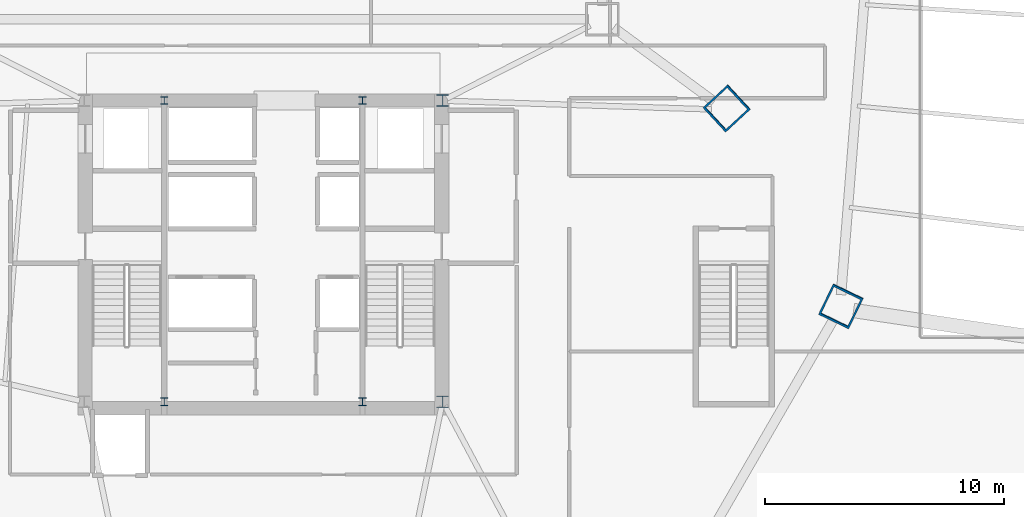
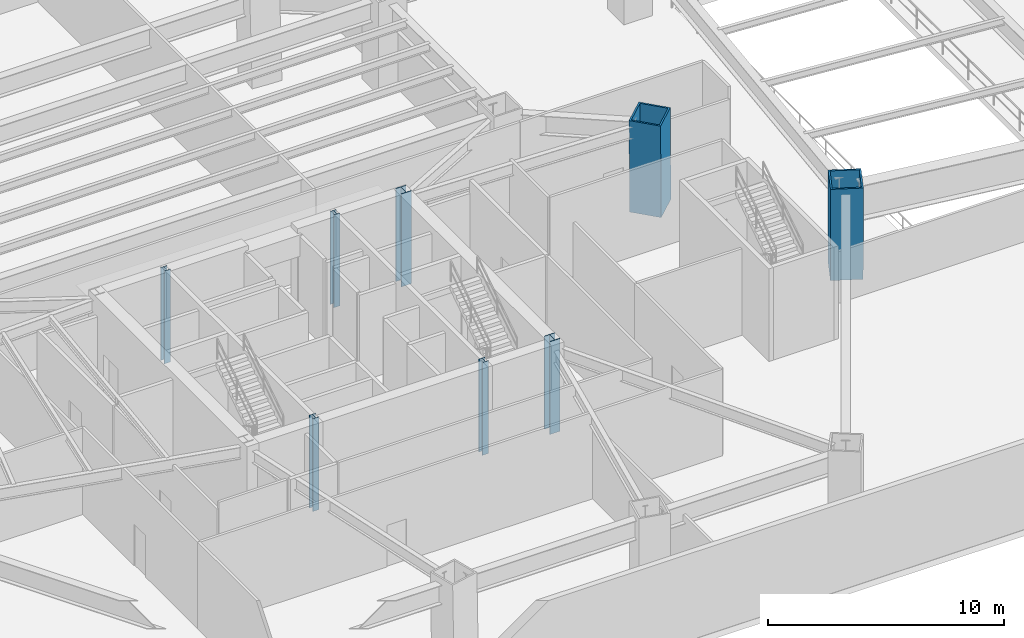
# One storey, part 2 of 11: 8 columns.
"""IFC4 building model written with IfcOpenShell, lengths in metres."""

import ifcopenshell
import ifcopenshell.guid

model = None  # the IFC model being written
_history = None  # IfcOwnerHistory: only IFC2X3 demands one
_inside = {}  # id of a spatial element -> (the spatial element, [elements in it])
_under = {}  # id of a project, library or spatial element -> (it, [spatial elements below it])
_declared = {}  # id of a project -> (the project, [libraries it declares])
_typed = {}  # id of a type object -> (the type object, [elements of that type])
_made_of = {}  # id of a material, layer set ... -> (it, [elements and type objects made of it])


def new_model(schema):
    """Start an empty IFC model of exactly this schema.

    Asked for "IFC4X3", IfcOpenShell would pick the latest addendum, in which some entities
    have other attributes; the version numbers below select the first issue.
    IFC2X3 requires an IfcOwnerHistory on every rooted entity: one is made here for all.
    """
    global model, _history
    if schema == "IFC4X3":
        model = ifcopenshell.file(schema_version=(4, 3, 0, 0))
    else:
        model = ifcopenshell.file(schema=schema)
    _inside.clear()
    _under.clear()
    _declared.clear()
    _typed.clear()
    _made_of.clear()
    _history = None
    if model.schema == "IFC2X3":
        org = make("IfcOrganization", Name="unknown")
        user = make(
            "IfcPersonAndOrganization",
            ThePerson=make("IfcPerson", FamilyName="unknown"),
            TheOrganization=org,
        )
        app = make(
            "IfcApplication",
            ApplicationDeveloper=org,
            Version="unknown",
            ApplicationFullName="unknown",
            ApplicationIdentifier="unknown",
        )
        _history = make(
            "IfcOwnerHistory",
            OwningUser=user,
            OwningApplication=app,
            ChangeAction="ADDED",
            CreationDate=0,
        )
    return model


def make(cls, **values):
    """One entity of the class cls with the attributes given. An attribute that is None is left unset."""
    return model.create_entity(
        cls, **{name: value for name, value in values.items() if value is not None}
    )


def rooted(cls, **values):
    """An entity with a GlobalId (a new one), such as an element, a storey or a relation."""
    return make(cls, GlobalId=ifcopenshell.guid.new(), OwnerHistory=_history, **values)


def si_unit(unit_type, name, prefix=None):
    """IfcSIUnit, for example si_unit("LENGTHUNIT", "METRE", prefix="MILLI")."""
    return make("IfcSIUnit", UnitType=unit_type, Prefix=prefix, Name=name)


def assignment(units):
    """IfcUnitAssignment: the units of a project."""
    return None if units is None else make("IfcUnitAssignment", Units=units)


def point(xyz):
    """IfcCartesianPoint."""
    return None if xyz is None else make("IfcCartesianPoint", Coordinates=xyz)


def direction(xyz):
    """IfcDirection."""
    return None if xyz is None else make("IfcDirection", DirectionRatios=xyz)


def frame(location, z_axis=None, x_axis=None):
    """IfcAxis2Placement3D, a coordinate frame: its origin and axes. An axis left out is left unset."""
    return make(
        "IfcAxis2Placement3D",
        Location=point(location),
        Axis=direction(z_axis),
        RefDirection=direction(x_axis),
    )


def frame_2d(location, x_axis=None):
    """IfcAxis2Placement2D, a coordinate frame in the plane: its origin and x axis."""
    return make(
        "IfcAxis2Placement2D", Location=point(location), RefDirection=direction(x_axis)
    )


def origin():
    """The frame at (0, 0, 0) with its axes left unset."""
    return frame((0.0, 0.0, 0.0))


def origin_2d():
    """The frame at (0, 0) in the plane with its x axis left unset."""
    return frame_2d((0.0, 0.0))


def place(relative_to, where):
    """IfcLocalPlacement: puts the frame where relative to a parent placement (None: the world)."""
    return make(
        "IfcLocalPlacement", PlacementRelTo=relative_to, RelativePlacement=where
    )


def context(
    kind, dimensions, precision=None, world=None, true_north=None, identifier=None
):
    """IfcGeometricRepresentationContext, for example the 3D "Model" context."""
    return make(
        "IfcGeometricRepresentationContext",
        ContextIdentifier=identifier,
        ContextType=kind,
        CoordinateSpaceDimension=dimensions,
        Precision=precision,
        WorldCoordinateSystem=world,
        TrueNorth=true_north,
    )


def subcontext(parent, identifier, kind, view, scale=None):
    """IfcGeometricRepresentationSubContext, for example "Body" below "Model"."""
    return make(
        "IfcGeometricRepresentationSubContext",
        ContextIdentifier=identifier,
        ContextType=kind,
        ParentContext=parent,
        TargetScale=scale,
        TargetView=view,
    )


def project(units=None, contexts=None):
    """IfcProject with its units and contexts."""
    return rooted(
        "IfcProject",
        Name="project",
        RepresentationContexts=contexts,
        UnitsInContext=assignment(units),
    )


def spatial(cls, under=None, at=None, **own):
    """A site, building, storey or space (cls), placed at a placement, below another one or the project."""
    s = rooted(cls, ObjectPlacement=at, **own)
    if under is not None:
        _under.setdefault(under.id(), (under, []))[1].append(s)
    return s


def profile(cls, at=None, kind="AREA", **sizes):
    """A parametric profile (cls). Its sizes go by their IFC names, for example OverallWidth=200.0."""
    return make(cls, ProfileType=kind, Position=at, **sizes)


def hollow_rectangle(**sizes):
    """IfcRectangleHollowProfileDef."""
    return profile("IfcRectangleHollowProfileDef", **sizes)


def i_section(**sizes):
    """IfcIShapeProfileDef."""
    return profile("IfcIShapeProfileDef", **sizes)


def extrude(swept, where, along, depth):
    """IfcExtrudedAreaSolid: the profile swept, set in the frame where, extruded along a direction by depth."""
    return make(
        "IfcExtrudedAreaSolid",
        SweptArea=swept,
        Position=where,
        ExtrudedDirection=direction(along),
        Depth=depth,
    )


def shape(context_of_items, identifier, shape_type, items):
    """IfcShapeRepresentation: the items that make up one representation, for example the "Body"."""
    return make(
        "IfcShapeRepresentation",
        ContextOfItems=context_of_items,
        RepresentationIdentifier=identifier,
        RepresentationType=shape_type,
        Items=items,
    )


def source(mapping_origin, context_of_items, identifier, shape_type, items):
    """IfcRepresentationMap: a shape defined once, which mapped items show again and again."""
    return make(
        "IfcRepresentationMap",
        MappingOrigin=mapping_origin,
        MappedRepresentation=shape(context_of_items, identifier, shape_type, items),
    )


def transform(
    local_origin,
    x_axis=None,
    y_axis=None,
    z_axis=None,
    scale=None,
    scale2=None,
    scale3=None,
    uniform=True,
):
    """IfcCartesianTransformationOperator3D, or its non-uniform kind. x_axis, y_axis, z_axis: its Axis1, 2, 3."""
    if uniform:
        return make(
            "IfcCartesianTransformationOperator3D",
            Axis1=direction(x_axis),
            Axis2=direction(y_axis),
            LocalOrigin=point(local_origin),
            Scale=scale,
            Axis3=direction(z_axis),
        )
    return make(
        "IfcCartesianTransformationOperator3DnonUniform",
        Axis1=direction(x_axis),
        Axis2=direction(y_axis),
        LocalOrigin=point(local_origin),
        Scale=scale,
        Axis3=direction(z_axis),
        Scale2=scale2,
        Scale3=scale3,
    )


def mapped(mapping_source, mapping_target):
    """IfcMappedItem: shows the shape of a source again, moved by a transform."""
    return make(
        "IfcMappedItem", MappingSource=mapping_source, MappingTarget=mapping_target
    )


def material(Name=None, Category=None):
    """IfcMaterial."""
    return make("IfcMaterial", Name=Name, Category=Category)


def material_profile(
    of_material, cross_section, Name=None, Category=None, Priority=None
):
    """IfcMaterialProfile: a cross section and its material."""
    return make(
        "IfcMaterialProfile",
        Name=Name,
        Material=of_material,
        Profile=cross_section,
        Priority=Priority,
        Category=Category,
    )


def profile_set(profiles, Name=None, composite=None):
    """IfcMaterialProfileSet."""
    return make(
        "IfcMaterialProfileSet",
        Name=Name,
        MaterialProfiles=profiles,
        CompositeProfile=composite,
    )


def made_of(thing, what):
    """Note that an element or type object is made of a material, layer set ...; save() writes the relation."""
    if what is not None:
        _made_of.setdefault(what.id(), (what, []))[1].append(thing)
    return thing


def type_object(cls, material=None, **own):
    """A type object (cls), such as IfcWallType, which elements share."""
    return made_of(rooted(cls, **own), material)


def type_shapes(of_type, sources):
    """Give a type object the sources (RepresentationMaps) that its elements show as mapped items."""
    of_type.RepresentationMaps = sources


def element(
    cls,
    number,
    at=None,
    inside=None,
    cuts=None,
    type_object=None,
    material=None,
    context=None,
    identifier="Body",
    shape_type=None,
    held_by="IfcProductDefinitionShape",
    body=None,
    shapes=None,
    **own,
):
    """One element of the class cls, such as IfcWall. Its Tag is "e" and its number.

    at: its placement. inside: the storey or other place that contains it. cuts: it is an
    opening in that element (IfcRelVoidsElement). A single representation is given by context,
    identifier, shape_type and body (its items); several are given by shapes. held_by: the class
    of the entity that holds the representations. save() writes the other relations.
    """
    e = rooted(cls, Tag="e%d" % number, ObjectPlacement=at, **own)
    if body is not None:
        shapes = [shape(context, identifier, shape_type, body)]
    if shapes is not None:
        e.Representation = make(held_by, Representations=shapes)
    if inside is not None:
        _inside.setdefault(inside.id(), (inside, []))[1].append(e)
    if cuts is not None:
        rooted(
            "IfcRelVoidsElement", RelatingBuildingElement=cuts, RelatedOpeningElement=e
        )
    if type_object is not None:
        _typed.setdefault(type_object.id(), (type_object, []))[1].append(e)
    return made_of(e, material)


def aggregate(whole, parts):
    """IfcRelAggregates: a whole, such as a stair, and the parts it consists of."""
    return rooted("IfcRelAggregates", RelatingObject=whole, RelatedObjects=parts)


def save(model, path):
    """Write the relations noted so far, then the file.

    IfcRelAggregates (storeys below a building ...), IfcRelContainedInSpatialStructure (elements
    in a storey), IfcRelDefinesByType, IfcRelAssociatesMaterial and IfcRelDeclares: one each for
    every whole, place, type object, material and project.
    """
    for whole, parts in _under.values():
        aggregate(whole, parts)
    for where, things in _inside.values():
        rooted(
            "IfcRelContainedInSpatialStructure",
            RelatedElements=things,
            RelatingStructure=where,
        )
    for kind, things in _typed.values():
        rooted("IfcRelDefinesByType", RelatedObjects=things, RelatingType=kind)
    for what, things in _made_of.values():
        rooted("IfcRelAssociatesMaterial", RelatedObjects=things, RelatingMaterial=what)
    for by, libraries in _declared.values():
        rooted("IfcRelDeclares", RelatingContext=by, RelatedDefinitions=libraries)
    model.write(path)


model = new_model("IFC4")

# Units and contexts
model_context = context("Model", 3, precision=1e-05, world=origin(), true_north=direction((0.0, 1.0)))
body_context = subcontext(model_context, "Body", "Model", "MODEL_VIEW")
ifc_project = project(units=[si_unit("LENGTHUNIT", "METRE"), si_unit("AREAUNIT", "SQUARE_METRE"), si_unit("VOLUMEUNIT", "CUBIC_METRE"), si_unit("PLANEANGLEUNIT", "RADIAN"), si_unit("MASSUNIT", "GRAM", prefix="KILO")], contexts=[model_context])

# Site, building, storey
site_placement = place(None, origin())
site = spatial("IfcSite", under=ifc_project, at=site_placement, CompositionType="ELEMENT")
building_placement = place(site_placement, origin())
building = spatial("IfcBuilding", under=site, at=building_placement, Name="Caelisora Broadcast Tower", CompositionType="ELEMENT")
storey_placement = place(building_placement, frame((0.0, 0.0, 5.39990234375)))
storey = spatial("IfcBuildingStorey", under=building, at=storey_placement, Name="L01", CompositionType="ELEMENT", Elevation=5.39990234375)

# Columns
ifc_material_1 = material(Name="Steel Grade 350 (AS/NZS 3679.2)", Category="steel")
ifc_material_profile_1 = material_profile(ifc_material_1, i_section(OverallWidth=0.5, OverallDepth=0.5, WebThickness=0.028076171875, FlangeThickness=0.0400390625, at=origin_2d()), Name="Steel Grade 350 (AS/NZS 3679.2)")
ifc_profile_set_1 = profile_set([ifc_material_profile_1], Name="Steel Grade 350 (AS/NZS 3679.2)")
column_type_1 = type_object("IfcColumnType", Name="CC01", PredefinedType="COLUMN", material=ifc_profile_set_1)
shared_shape_1 = source(origin(), body_context, "Body", "SweptSolid", [
    extrude(i_section(OverallWidth=0.5, OverallDepth=0.5, WebThickness=0.028076171875, FlangeThickness=0.0400390625, at=origin_2d()), origin(), (0.0, 0.0, 1.0), 4.800048828125),
])
type_shapes(column_type_1, [shared_shape_1])
for number, where, z_axis, x_axis, name in (
    (1, (45.5, 17.39990234375, 0.0), (0.0, 0.0, 1.0), (1.0, 0.0, 0.0), "L01 column CC01"),
    (2, (45.5, 30.0, 0.0), (0.0, 0.0, 1.0), (1.0, 0.0, 0.0), "L01 column CC01"),
):
    element("IfcColumn", number, at=place(storey_placement, frame(where, z_axis=z_axis, x_axis=x_axis)), inside=storey, type_object=column_type_1, Name=name, PredefinedType="COLUMN", context=body_context, shape_type="MappedRepresentation", body=[
        mapped(shared_shape_1, transform((0.0, 0.0, 0.0), scale=1.0)),
    ])
ifc_material_2 = material(Name="Steel Grade 350 (AS/NZS 3679.1)", Category="steel")
ifc_material_profile_2 = material_profile(ifc_material_2, i_section(OverallWidth=0.306884765625, OverallDepth=0.314697265625, WebThickness=0.011962890625, FlangeThickness=0.018798828125, at=origin_2d()), Name="Steel Grade 350 (AS/NZS 3679.1)")
ifc_profile_set_2 = profile_set([ifc_material_profile_2], Name="Steel Grade 350 (AS/NZS 3679.1)")
column_type_2 = type_object("IfcColumnType", Name="CC04", PredefinedType="COLUMN", material=ifc_profile_set_2)
shared_shape_2 = source(origin(), body_context, "Body", "SweptSolid", [
    extrude(i_section(OverallWidth=0.306884765625, OverallDepth=0.314697265625, WebThickness=0.011962890625, FlangeThickness=0.018798828125, at=origin_2d()), origin(), (0.0, 0.0, 1.0), 4.800048828125),
])
type_shapes(column_type_2, [shared_shape_2])
for number, where, z_axis, x_axis, name in (
    (3, (33.85009765625, 17.39990234375, 0.0), (0.0, 0.0, 1.0), (1.0, 0.0, 0.0), "L01 column CC04"),
    (4, (42.14990234375, 17.39990234375, 0.0), (0.0, 0.0, 1.0), (1.0, 0.0, 0.0), "L01 column CC04"),
    (5, (33.85009765625, 30.0, 0.0), (0.0, 0.0, 1.0), (1.0, 0.0, 0.0), "L01 column CC04"),
    (6, (42.14990234375, 30.0, 0.0), (0.0, 0.0, 1.0), (1.0, 0.0, 0.0), "L01 column CC04"),
):
    element("IfcColumn", number, at=place(storey_placement, frame(where, z_axis=z_axis, x_axis=x_axis)), inside=storey, type_object=column_type_2, Name=name, PredefinedType="COLUMN", context=body_context, shape_type="MappedRepresentation", body=[
        mapped(shared_shape_2, transform((0.0, 0.0, 0.0), scale=1.0)),
    ])
ifc_material_3 = material(Name="Steel Grade 350 L15 (AS/NZS 3678)", Category="steel")
ifc_material_profile_3 = material_profile(ifc_material_3, hollow_rectangle(XDim=1.39990234375, YDim=1.39990234375, WallThickness=0.080078125, at=origin_2d()), Name="Steel Grade 350 L15 (AS/NZS 3678)")
ifc_profile_set_3 = profile_set([ifc_material_profile_3], Name="Steel Grade 350 L15 (AS/NZS 3678)")
column_type_3 = type_object("IfcColumnType", Name="MC01", PredefinedType="COLUMN", material=ifc_profile_set_3)
shared_shape_3 = source(origin(), body_context, "Body", "SweptSolid", [
    extrude(hollow_rectangle(XDim=1.39990234375, YDim=1.39990234375, WallThickness=0.080078125, at=origin_2d()), origin(), (0.0, 0.0, 1.0), 4.801513671875),
])
column_1_placement = place(storey_placement, frame((62.17529296875, 21.40673828125, 0.0), z_axis=(-0.01042374304, -0.021559351459, 0.999713228854), x_axis=(0.900293483537, -0.435283405956, 0.0)))
element("IfcColumn", 7, at=column_1_placement, inside=storey, type_object=column_type_3, Name="L01 column MC01", PredefinedType="COLUMN", context=body_context, shape_type="MappedRepresentation", body=[
    mapped(shared_shape_3, transform((0.0, 0.0, 0.0), scale=1.0)),
])
shared_shape_4 = source(origin(), body_context, "Body", "SweptSolid", [
    extrude(hollow_rectangle(XDim=1.39990234375, YDim=1.39990234375, WallThickness=0.080078125, at=origin_2d()), origin(), (0.0, 0.0, 1.0), 4.801025390625),
])
type_shapes(column_type_3, [shared_shape_3, shared_shape_4])
column_2_placement = place(storey_placement, frame((57.397216796875, 29.68212890625, 0.0), z_axis=(-0.014899529501, -0.013780793498, 0.999794025663), x_axis=(0.679008224545, -0.734130663438, 0.0)))
element("IfcColumn", 8, at=column_2_placement, inside=storey, type_object=column_type_3, Name="L01 column MC01", PredefinedType="COLUMN", context=body_context, shape_type="MappedRepresentation", body=[
    mapped(shared_shape_4, transform((0.0, 0.0, 0.0), scale=1.0)),
])

save(model, "model.ifc")
